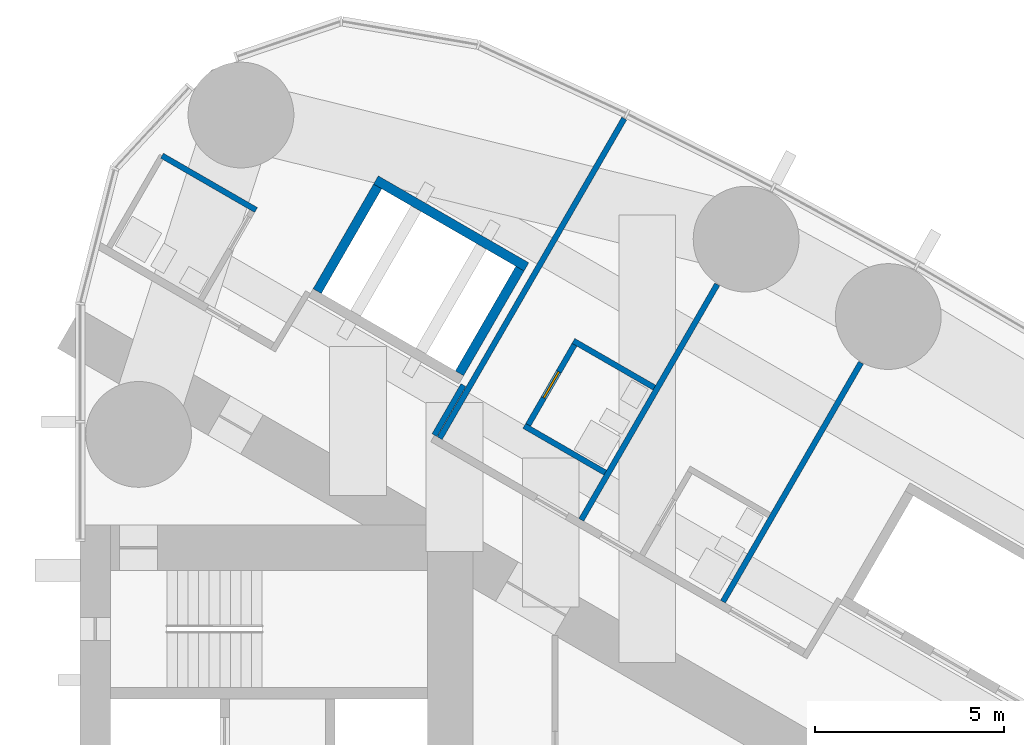
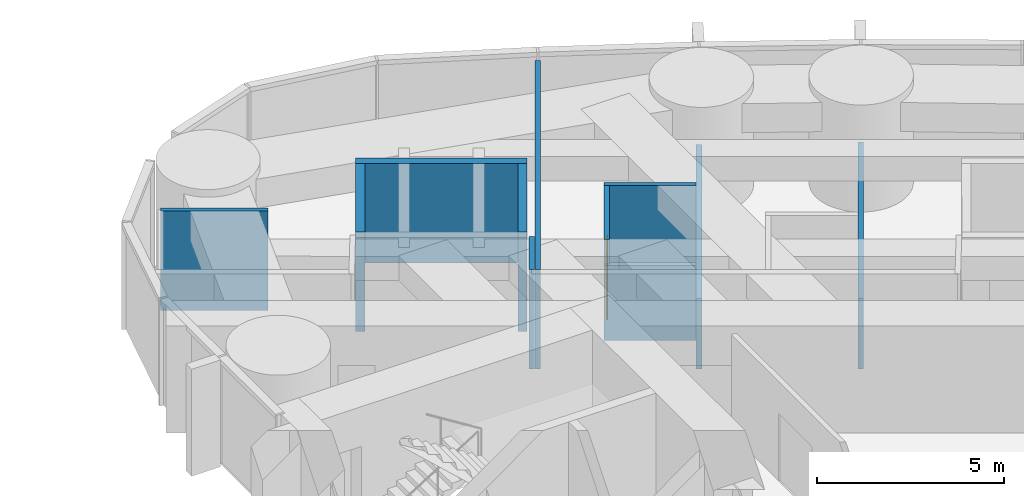
# One storey, part 16 of 19: 11 walls, 1 door, 1 opening.
"""IFC4 building model written with IfcOpenShell, lengths in metres."""

from ifc_helpers import new_model, si_unit, direction, frame, frame_2d, origin, place, context, subcontext, project, spatial, rectangle, extrude, material, layer, layer_set, type_object, element, fill, save


model = new_model("IFC4")

# Units and contexts
model_context = context("Model", 3, precision=1e-05, world=origin(), true_north=direction((0.0, 1.0)))
body_context = subcontext(model_context, "Body", "Model", "MODEL_VIEW")
ifc_project = project(units=[si_unit("LENGTHUNIT", "METRE"), si_unit("AREAUNIT", "SQUARE_METRE"), si_unit("VOLUMEUNIT", "CUBIC_METRE"), si_unit("PLANEANGLEUNIT", "RADIAN"), si_unit("MASSUNIT", "GRAM", prefix="KILO")], contexts=[model_context])

# Site, building, storey
site_placement = place(None, origin())
site = spatial("IfcSite", under=ifc_project, at=site_placement, CompositionType="ELEMENT")
building_placement = place(site_placement, origin())
building = spatial("IfcBuilding", under=site, at=building_placement, Name="Lancet Gate Hotel", CompositionType="ELEMENT")
storey_placement = place(building_placement, frame((0.0, 0.0, 159.800048828125)))
storey = spatial("IfcBuildingStorey", under=building, at=storey_placement, Name="L42", CompositionType="ELEMENT", Elevation=159.800048828125)

# Wall
ifc_material_1 = material(Name="Moisture resistant board partition")
ifc_layer_1 = layer(ifc_material_1, 0.14990234375)
ifc_layer_set_1 = layer_set([ifc_layer_1], Name="Bathroom wall 150")
wall_type_1 = type_object("IfcWallType", Name="Bathroom wall 150", PredefinedType="PARTITIONING", material=ifc_layer_set_1)
wall_1_placement = place(storey_placement, frame((40.56103515625, 13.47607421875, 0.0), z_axis=(0.0, 0.0, 1.0), x_axis=(0.866006523861, -0.500032699561, 0.0)))
element("IfcWall", 1, at=wall_1_placement, inside=storey, type_object=wall_type_1, Name="T2 bathroom wall 150 L42", PredefinedType="PARTITIONING", context=body_context, shape_type="SweptSolid", body=[
    extrude(rectangle(XDim=2.474853515625, YDim=0.14990234375, at=frame_2d((1.2373046875, 0.0))), origin(), (0.0, 0.0, 1.0), 3.25),
])

# Wall, opening, door
wall_2_placement = place(storey_placement, frame((39.325927734375, 11.18701171875, 0.0), z_axis=(0.0, 0.0, 1.0), x_axis=(0.500047596559, 0.865997922154, 0.0)))
wall_2 = element("IfcWall", 2, at=wall_2_placement, inside=storey, type_object=wall_type_1, Name="T2 bathroom wall 150 L42", PredefinedType="PARTITIONING", context=body_context, shape_type="SweptSolid", body=[
    extrude(rectangle(XDim=2.599853515625, YDim=0.14990234375, at=frame_2d((1.2998046875, 0.0))), origin(), (0.0, 0.0, 1.0), 3.25),
])
opening_placement = place(wall_2_placement, frame((0.89990234375, 0.0, 0.0)))
opening = element("IfcOpeningElement", 3, at=opening_placement, cuts=wall_2, Name="Opening 4262-B", PredefinedType="OPENING", context=body_context, shape_type="SweptSolid", body=[
    extrude(rectangle(XDim=0.800048828125, YDim=2.199951171875, at=frame_2d((0.39990234375, 1.10009765625))), frame((0.0, 0.0849609375, 0.0), z_axis=(0.0, -1.0, 0.0), x_axis=(1.0, 0.0, 0.0)), (0.0, 0.0, 1.0), 0.169921875),
])
ifc_material_2 = material(Name="Timber door set", Category="wood")
door_type = type_object("IfcDoorType", Name="Bathroom door 800", OperationType="SINGLE_SWING_RIGHT", PredefinedType="DOOR", material=ifc_material_2)
door_placement = place(opening_placement, origin())
door = element("IfcDoor", 4, at=door_placement, inside=storey, type_object=door_type, Name="4262-B", OperationType="SINGLE_SWING_RIGHT", OverallHeight=2.199951171875, OverallWidth=0.800048828125, PredefinedType="DOOR", context=body_context, shape_type="SweptSolid", body=[
    extrude(rectangle(XDim=0.800048828125, YDim=2.199951171875, at=frame_2d((0.39990234375, 1.10009765625))), frame((0.0, 0.02490234375, 0.0), z_axis=(0.0, -1.0, 0.0), x_axis=(1.0, 0.0, 0.0)), (0.0, 0.0, 1.0), 0.050048828125),
])
fill(opening, door)

# Walls
wall_3_placement = place(storey_placement, frame((39.260986328125, 11.224365234375, 0.0), z_axis=(0.0, 0.0, 1.0), x_axis=(0.866006523861, -0.500032699561, 0.0)))
element("IfcWall", 5, at=wall_3_placement, inside=storey, type_object=wall_type_1, Name="T2 bathroom wall 150 L42", PredefinedType="PARTITIONING", context=body_context, shape_type="SweptSolid", body=[
    extrude(rectangle(XDim=2.474853515625, YDim=0.14990234375, at=frame_2d((1.2373046875, 0.0))), origin(), (0.0, 0.0, 1.0), 2.449951171875),
])
wall_4_placement = place(storey_placement, frame((29.669189453125, 18.378662109375, 0.0), z_axis=(0.0, 0.0, 1.0), x_axis=(0.866039941686, -0.499974818771, 0.0)))
element("IfcWall", 6, at=wall_4_placement, inside=storey, type_object=wall_type_1, Name="T2 bathroom wall 150 L42", PredefinedType="PARTITIONING", context=body_context, shape_type="SweptSolid", body=[
    extrude(rectangle(XDim=2.875244140625, YDim=0.14990234375, at=frame_2d((1.4375, 0.0))), origin(), (0.0, 0.0, 1.0), 3.25),
])
ifc_material_3 = material(Name="Gypsum board partition")
ifc_layer_2 = layer(ifc_material_3, 0.25)
ifc_layer_set_2 = layer_set([ifc_layer_2], Name="Lift shaft partition 250")
wall_type_2 = type_object("IfcWallType", Name="Lift shaft partition 250", PredefinedType="PARTITIONING", material=ifc_layer_set_2)
wall_5_placement = place(storey_placement, frame((35.33349609375, 17.73583984375, 0.0), z_axis=(0.0, 0.0, 1.0), x_axis=(0.866043305498, -0.49996899204, 0.0)))
element("IfcWall", 7, at=wall_5_placement, inside=storey, type_object=wall_type_2, Name="T2 lift shaft wall EX L42", PredefinedType="PARTITIONING", context=body_context, shape_type="SweptSolid", body=[
    extrude(rectangle(XDim=4.600341796875, YDim=0.25, at=frame_2d((2.30029296875, 0.0))), origin(), (0.0, 0.0, 1.0), 3.25),
])
for number, where, z_axis, x_axis, name in (
    (8, (33.779296875, 14.79296875, 0.0), (0.0, 0.0, 1.0), (0.499929347863, 0.866066190972, 0.0), "T2 lift shaft wall EX L42"),
    (9, (37.546630859375, 12.617919921875, 0.0), (0.0, 0.0, 1.0), (0.499929347863, 0.866066190972, 0.0), "T2 lift shaft wall EX L42"),
):
    element("IfcWall", number, at=place(storey_placement, frame(where, z_axis=z_axis, x_axis=x_axis)), inside=storey, type_object=wall_type_2, Name=name, PredefinedType="PARTITIONING", context=body_context, shape_type="SweptSolid", body=[
        extrude(rectangle(XDim=3.20068359375, YDim=0.25, at=frame_2d((1.600341796875, 0.0))), origin(), (0.0, 0.0, 1.0), 3.25),
    ])
ifc_material_4 = material(Name="Gypsum board partition")
ifc_layer_3 = layer(ifc_material_4, 0.14990234375)
ifc_layer_set_3 = layer_set([ifc_layer_3], Name="Party wall 150")
wall_type_3 = type_object("IfcWallType", Name="Party wall 150", PredefinedType="PARTITIONING", material=ifc_layer_set_3)
wall_6_placement = place(storey_placement, frame((37.022216796875, 10.900390625, 0.0), z_axis=(0.0, 0.0, 1.0), x_axis=(0.499998620953, 0.866026199976, 0.0)))
element("IfcWall", 10, at=wall_6_placement, inside=storey, type_object=wall_type_3, Name="T2 party wall 150 L42", PredefinedType="PARTITIONING", context=body_context, shape_type="SweptSolid", body=[
    extrude(rectangle(XDim=9.76953125, YDim=0.14990234375, at=frame_2d((4.884765625, 0.0))), origin(), (0.0, 0.0, 1.0), 3.25),
])
wall_7_placement = place(storey_placement, frame((40.769287109375, 8.737060546875, 0.0), z_axis=(0.0, 0.0, 1.0), x_axis=(0.500013115284, 0.866017831539, 0.0)))
element("IfcWall", 11, at=wall_7_placement, inside=storey, type_object=wall_type_3, Name="T2 party wall 150 L42", PredefinedType="PARTITIONING", context=body_context, shape_type="SweptSolid", body=[
    extrude(rectangle(XDim=7.197998046875, YDim=0.14990234375, at=frame_2d((3.59912109375, 0.0))), origin(), (0.0, 0.0, 1.0), 2.300048828125),
])
wall_8_placement = place(storey_placement, frame((44.521484375, 6.57080078125, 0.0), z_axis=(0.0, 0.0, 1.0), x_axis=(0.500020376429, 0.866013639128, 0.0)))
element("IfcWall", 12, at=wall_8_placement, inside=storey, type_object=wall_type_3, Name="T2 party wall 150 L42", PredefinedType="PARTITIONING", context=body_context, shape_type="SweptSolid", body=[
    extrude(rectangle(XDim=7.306396484375, YDim=0.14990234375, at=frame_2d((3.6533203125, 0.0))), origin(), (0.0, 0.0, 1.0), 2.300048828125),
])
ifc_material_5 = material(Name="Gypsum board partition")
ifc_layer_4 = layer(ifc_material_5, 0.14990234375)
ifc_layer_set_4 = layer_set([ifc_layer_4], Name="Service room wall 150")
wall_type_4 = type_object("IfcWallType", Name="Service room wall 150", PredefinedType="PARTITIONING", material=ifc_layer_set_4)
wall_9_placement = place(storey_placement, frame((36.884033203125, 10.980224609375, 0.0), z_axis=(0.0, 0.0, 1.0), x_axis=(0.500035603698, 0.866004847004, 0.0)))
element("IfcWall", 13, at=wall_9_placement, inside=storey, type_object=wall_type_4, Name="T2 service room wall 150 L42", PredefinedType="PARTITIONING", context=body_context, shape_type="SweptSolid", body=[
    extrude(rectangle(XDim=1.52978515625, YDim=0.14990234375, at=frame_2d((0.764892578125, 0.0))), origin(), (0.0, 0.0, 1.0), 3.25),
])

save(model, "model.ifc")
